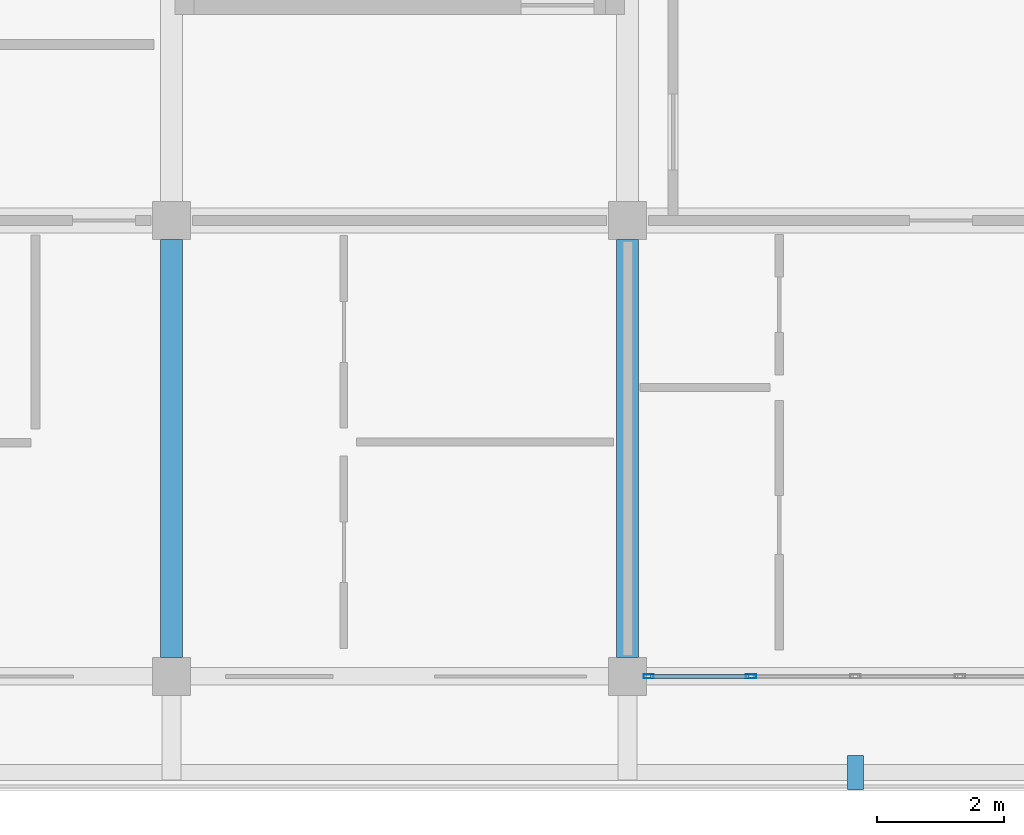
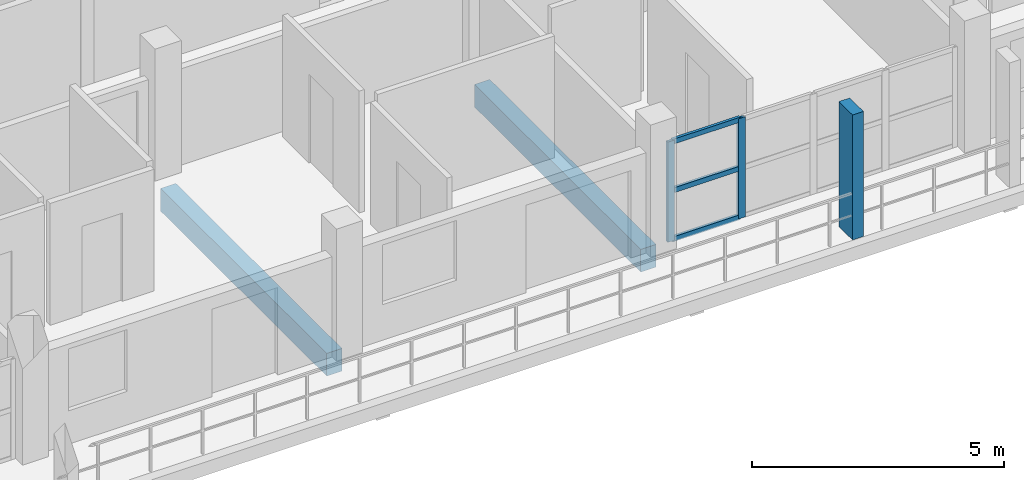
# One storey, part 27 of 78: 6 members, 2 beams, 1 element without a shape of its own.
"""IFC4 building model written with IfcOpenShell, lengths in metres."""

from ifc_helpers import new_model, si_unit, direction, frame, origin, origin_2d, place, context, subcontext, project, spatial, rectangle, hollow_rectangle, extrude, material, material_profile, profile_set, type_object, element, aggregate, save


model = new_model("IFC4")

# Units and contexts
model_context = context("Model", 3, precision=1e-05, world=origin(), true_north=direction((0.0, 1.0)))
body_context = subcontext(model_context, "Body", "Model", "MODEL_VIEW")
ifc_project = project(units=[si_unit("LENGTHUNIT", "METRE"), si_unit("AREAUNIT", "SQUARE_METRE"), si_unit("VOLUMEUNIT", "CUBIC_METRE"), si_unit("PLANEANGLEUNIT", "RADIAN"), si_unit("MASSUNIT", "GRAM", prefix="KILO")], contexts=[model_context])

# Site, building, storey
site_placement = place(None, origin())
site = spatial("IfcSite", under=ifc_project, at=site_placement, CompositionType="ELEMENT")
building_placement = place(site_placement, origin())
building = spatial("IfcBuilding", under=site, at=building_placement, Name="Suanplinth Sawtooth Commons", CompositionType="ELEMENT")
storey_placement = place(building_placement, frame((0.0, 0.0, 15.39990234375)))
storey = spatial("IfcBuildingStorey", under=building, at=storey_placement, Name="L04", CompositionType="ELEMENT", Elevation=15.39990234375)

# Beams
ifc_material_1 = material(Name="Precast concrete C40/50", Category="concrete")
ifc_material_profile_1 = material_profile(ifc_material_1, rectangle(XDim=0.35009765625, YDim=0.550048828125, at=origin_2d()), Name="PC-BM 350x550")
ifc_profile_set_1 = profile_set([ifc_material_profile_1], Name="Precast concrete C40/50")
beam_type = type_object("IfcBeamType", Name="B-06", PredefinedType="BEAM", material=ifc_profile_set_1)
for number, where, z_axis, x_axis, name in (
    (1, (158.39990234375, 0.300048828125, -0.494873046875), (0.0, 1.0, 0.0), (-1.0, 0.0, 0.0), "BMY-L04-C-22-0"),
    (2, (165.60009765625, 0.300048828125, -0.494873046875), (0.0, 1.0, 0.0), (-1.0, 0.0, 0.0), "BMY-L04-C-23-0"),
):
    element("IfcBeam", number, at=place(storey_placement, frame(where, z_axis=z_axis, x_axis=x_axis)), inside=storey, type_object=beam_type, Name=name, PredefinedType="BEAM", context=body_context, shape_type="SweptSolid", body=[
        extrude(rectangle(XDim=0.35009765625, YDim=0.550048828125, at=origin_2d()), origin(), (0.0, 0.0, 1.0), 6.599853515625),
    ])

# Member
ifc_material_2 = material(Name="Pigmented precast concrete C40/50", Category="concrete")
ifc_material_profile_2 = material_profile(ifc_material_2, rectangle(XDim=0.25, YDim=0.5400390625, at=origin_2d()), Name="PC-FIN 250x540")
ifc_profile_set_2 = profile_set([ifc_material_profile_2], Name="Pigmented precast concrete C40/50")
member_type_1 = type_object("IfcMemberType", Name="M-11", PredefinedType="USERDEFINED", material=ifc_profile_set_2)
member_1_placement = place(storey_placement, frame((169.199951171875, -1.52001953125, 0.0), z_axis=(0.0, 0.0, 1.0), x_axis=(1.0, 0.0, 0.0)))
element("IfcMember", 3, at=member_1_placement, inside=storey, type_object=member_type_1, Name="Upright Solar Blade L04-C-S-05", ObjectType="SHADING FIN", PredefinedType="USERDEFINED", context=body_context, shape_type="SweptSolid", body=[
    extrude(rectangle(XDim=0.25, YDim=0.5400390625, at=origin_2d()), origin(), (0.0, 0.0, 1.0), 3.030029296875),
])

# Curtain wall, members
ifc_material_3 = material(Name="Anodized aluminium and low-E glazing", Category="aluminium")
curtain_wall_type = type_object("IfcCurtainWallType", Name="CW-06", PredefinedType="USERDEFINED", material=ifc_material_3)
curtain_wall_placement = place(storey_placement, origin())
curtain_wall = element("IfcCurtainWall", 4, at=curtain_wall_placement, inside=storey, type_object=curtain_wall_type, Name="Curtain Wall CW-L04-C-LOUNGE-23", ObjectType="CURTAIN WALL", PredefinedType="USERDEFINED")
ifc_material_4 = material(Name="Anodized aluminium 6063-T6", Category="aluminium")
ifc_material_profile_3 = material_profile(ifc_material_4, hollow_rectangle(XDim=0.06494140625, YDim=0.159912109375, WallThickness=0.00390625, at=origin_2d()), Name="ALU-MUL 65x160")
ifc_profile_set_3 = profile_set([ifc_material_profile_3], Name="Anodized aluminium 6063-T6")
member_type_2 = type_object("IfcMemberType", Name="M-13", PredefinedType="MULLION", material=ifc_profile_set_3)
member_2_placement = place(storey_placement, frame((165.9326171875, 0.0, 0.0), z_axis=(0.0, 0.0, 1.0), x_axis=(0.0, 1.0, 0.0)))
member_2 = element("IfcMember", 5, at=member_2_placement, type_object=member_type_2, Name="CW-06 mullion 1", PredefinedType="MULLION", context=body_context, shape_type="SweptSolid", body=[
    extrude(hollow_rectangle(XDim=0.06494140625, YDim=0.159912109375, WallThickness=0.00390625, at=origin_2d()), origin(), (0.0, 0.0, 1.0), 2.43017578125),
])
member_3_placement = place(storey_placement, frame((167.550048828125, 0.0, 0.0), z_axis=(0.0, 0.0, 1.0), x_axis=(0.0, 1.0, 0.0)))
member_3 = element("IfcMember", 6, at=member_3_placement, type_object=member_type_2, Name="CW-06 mullion 2", PredefinedType="MULLION", context=body_context, shape_type="SweptSolid", body=[
    extrude(hollow_rectangle(XDim=0.06494140625, YDim=0.159912109375, WallThickness=0.00390625, at=origin_2d()), origin(), (0.0, 0.0, 1.0), 2.43017578125),
])
ifc_material_profile_4 = material_profile(ifc_material_4, hollow_rectangle(XDim=0.06494140625, YDim=0.1201171875, WallThickness=0.00390625, at=origin_2d()), Name="ALU-TRN 65x120")
ifc_profile_set_4 = profile_set([ifc_material_profile_4], Name="Anodized aluminium 6063-T6")
member_type_3 = type_object("IfcMemberType", Name="M-15", PredefinedType="USERDEFINED", material=ifc_profile_set_4)
member_4_placement = place(storey_placement, frame((165.965087890625, 0.0, 0.03271484375), z_axis=(1.0, 0.0, 0.0), x_axis=(0.0, 1.0, 0.0)))
member_4 = element("IfcMember", 7, at=member_4_placement, type_object=member_type_3, Name="CW-06 transom 1.1", ObjectType="TRANSOM", PredefinedType="USERDEFINED", context=body_context, shape_type="SweptSolid", body=[
    extrude(hollow_rectangle(XDim=0.06494140625, YDim=0.1201171875, WallThickness=0.00390625, at=origin_2d()), origin(), (0.0, 0.0, 1.0), 1.552490234375),
])
member_5_placement = place(storey_placement, frame((165.965087890625, 0.0, 1.215087890625), z_axis=(1.0, 0.0, 0.0), x_axis=(0.0, 1.0, 0.0)))
member_5 = element("IfcMember", 8, at=member_5_placement, type_object=member_type_3, Name="CW-06 transom 1.2", ObjectType="TRANSOM", PredefinedType="USERDEFINED", context=body_context, shape_type="SweptSolid", body=[
    extrude(hollow_rectangle(XDim=0.06494140625, YDim=0.1201171875, WallThickness=0.00390625, at=origin_2d()), origin(), (0.0, 0.0, 1.0), 1.552490234375),
])
member_6_placement = place(storey_placement, frame((165.965087890625, 0.0, 2.397705078125), z_axis=(1.0, 0.0, 0.0), x_axis=(0.0, 1.0, 0.0)))
member_6 = element("IfcMember", 9, at=member_6_placement, type_object=member_type_3, Name="CW-06 transom 1.3", ObjectType="TRANSOM", PredefinedType="USERDEFINED", context=body_context, shape_type="SweptSolid", body=[
    extrude(hollow_rectangle(XDim=0.06494140625, YDim=0.1201171875, WallThickness=0.00390625, at=origin_2d()), origin(), (0.0, 0.0, 1.0), 1.552490234375),
])
aggregate(curtain_wall, [member_2, member_3, member_4, member_5, member_6])

save(model, "model.ifc")
